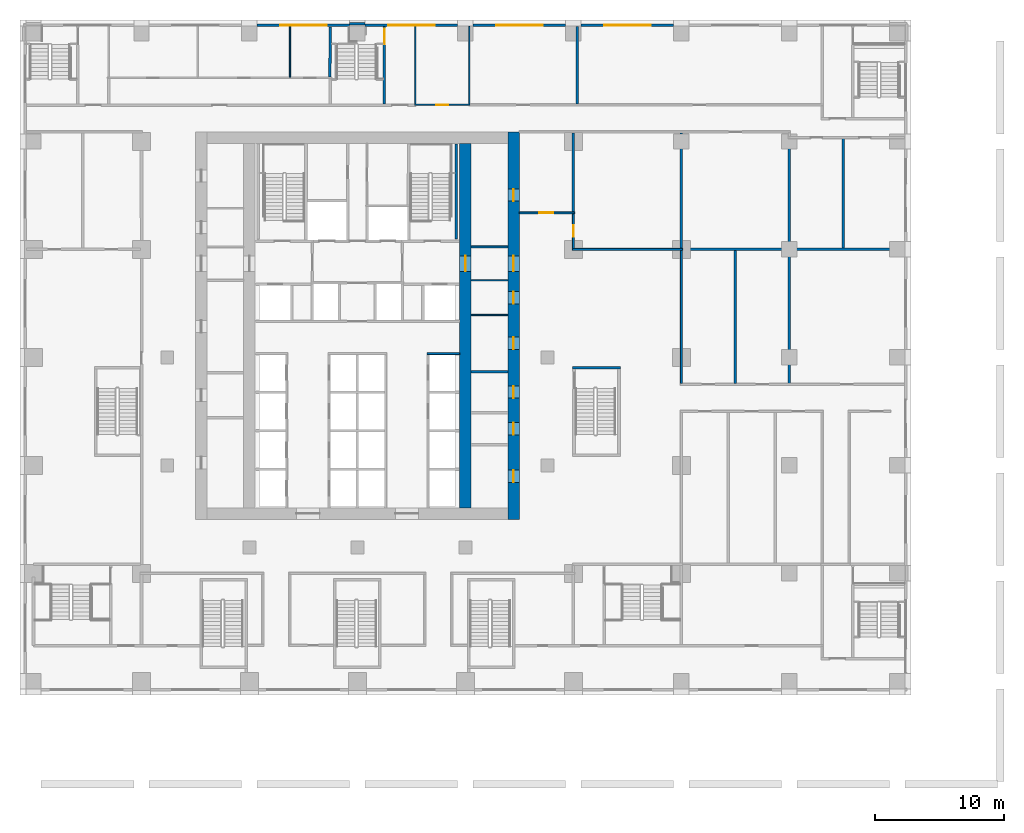
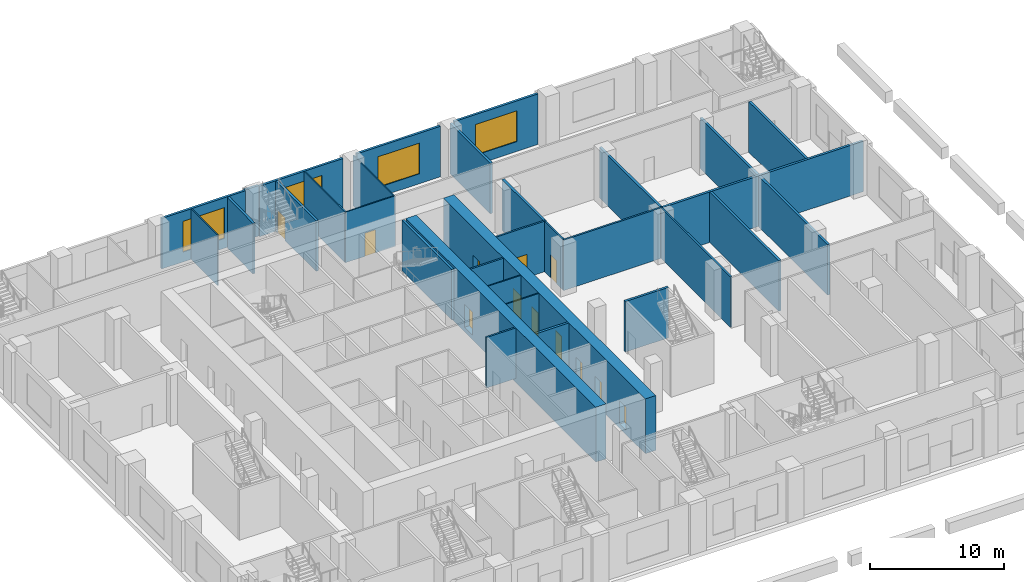
# One storey, part 8 of 21: 31 walls, 12 doors, 4 windows, 16 openings.
"""IFC4 building model written with IfcOpenShell, lengths in metres."""

from ifc_helpers import new_model, si_unit, direction, frame, frame_2d, origin, place, context, subcontext, project, spatial, rectangle, extrude, material, layer, layer_set, type_object, element, fill, save


model = new_model("IFC4")

# Units and contexts
model_context = context("Model", 3, precision=1e-05, world=origin(), true_north=direction((0.0, 1.0)))
body_context = subcontext(model_context, "Body", "Model", "MODEL_VIEW")
ifc_project = project(units=[si_unit("LENGTHUNIT", "METRE"), si_unit("AREAUNIT", "SQUARE_METRE"), si_unit("VOLUMEUNIT", "CUBIC_METRE"), si_unit("PLANEANGLEUNIT", "RADIAN"), si_unit("MASSUNIT", "GRAM", prefix="KILO")], contexts=[model_context])

# Site, building, storey
site_placement = place(None, origin())
site = spatial("IfcSite", under=ifc_project, at=site_placement, CompositionType="ELEMENT")
building_placement = place(site_placement, origin())
building = spatial("IfcBuilding", under=site, at=building_placement, Name="Vermilion Ogive Tower", CompositionType="ELEMENT")
storey_placement = place(building_placement, frame((0.0, 0.0, 25.0)))
storey = spatial("IfcBuildingStorey", under=building, at=storey_placement, Name="L04", CompositionType="ELEMENT", Elevation=25.0)

# Wall, openings, doors
ifc_material_1 = material(Name="Concrete B80", Category="concrete")
ifc_layer_1 = layer(ifc_material_1, 0.89990234375)
ifc_layer_set_1 = layer_set([ifc_layer_1], Name="Core wall 900 B80")
wall_type_1 = type_object("IfcWallType", Name="Core wall 900 B80", PredefinedType="SHEAR", material=ifc_layer_set_1)
wall_1_placement = place(storey_placement, frame((12.14990234375, -8.39990234375, -0.39990234375), z_axis=(0.0, 0.0, 1.0), x_axis=(0.0, 1.0, 0.0)))
wall_1 = element("IfcWall", 1, at=wall_1_placement, inside=storey, type_object=wall_type_1, Name="L04-CORE-E", PredefinedType="SHEAR", context=body_context, shape_type="SweptSolid", body=[
    extrude(rectangle(XDim=30.14990234375, YDim=0.89990234375, at=frame_2d((15.074951171875, 0.0))), origin(), (0.0, 0.0, 1.0), 5.0),
])
opening_1_placement = place(wall_1_placement, frame((2.875, 0.0, 0.39990234375)))
opening_1 = element("IfcOpeningElement", 2, at=opening_1_placement, cuts=wall_1, Name="Opening DAJ023", PredefinedType="OPENING", context=body_context, shape_type="SweptSolid", body=[
    extrude(rectangle(XDim=0.949951171875, YDim=2.10009765625, at=frame_2d((0.47509765625, 1.050048828125))), frame((0.0, 0.4599609375, 0.0), z_axis=(0.0, -1.0, 0.0), x_axis=(1.0, 0.0, 0.0)), (0.0, 0.0, 1.0), 0.919921875),
])
opening_2_placement = place(wall_1_placement, frame((6.574951171875, 0.0, 0.39990234375)))
opening_2 = element("IfcOpeningElement", 3, at=opening_2_placement, cuts=wall_1, Name="Opening DAJ024", PredefinedType="OPENING", context=body_context, shape_type="SweptSolid", body=[
    extrude(rectangle(XDim=0.949951171875, YDim=2.10009765625, at=frame_2d((0.47509765625, 1.050048828125))), frame((0.0, 0.4599609375, 0.0), z_axis=(0.0, -1.0, 0.0), x_axis=(1.0, 0.0, 0.0)), (0.0, 0.0, 1.0), 0.919921875),
])
opening_3_placement = place(wall_1_placement, frame((9.425048828125, 0.0, 0.39990234375)))
opening_3 = element("IfcOpeningElement", 4, at=opening_3_placement, cuts=wall_1, Name="Opening DAJ025", PredefinedType="OPENING", context=body_context, shape_type="SweptSolid", body=[
    extrude(rectangle(XDim=0.949951171875, YDim=2.10009765625, at=frame_2d((0.47509765625, 1.050048828125))), frame((0.0, 0.4599609375, 0.0), z_axis=(0.0, -1.0, 0.0), x_axis=(1.0, 0.0, 0.0)), (0.0, 0.0, 1.0), 0.919921875),
])
opening_4_placement = place(wall_1_placement, frame((13.22509765625, 0.0, 0.39990234375)))
opening_4 = element("IfcOpeningElement", 5, at=opening_4_placement, cuts=wall_1, Name="Opening DAJ026", PredefinedType="OPENING", context=body_context, shape_type="SweptSolid", body=[
    extrude(rectangle(XDim=0.949951171875, YDim=2.10009765625, at=frame_2d((0.47509765625, 1.050048828125))), frame((0.0, 0.4599609375, 0.0), z_axis=(0.0, -1.0, 0.0), x_axis=(1.0, 0.0, 0.0)), (0.0, 0.0, 1.0), 0.919921875),
])
opening_5_placement = place(wall_1_placement, frame((16.77490234375, 0.0, 0.39990234375)))
opening_5 = element("IfcOpeningElement", 6, at=opening_5_placement, cuts=wall_1, Name="Opening DAJ027", PredefinedType="OPENING", context=body_context, shape_type="SweptSolid", body=[
    extrude(rectangle(XDim=0.949951171875, YDim=2.10009765625, at=frame_2d((0.47509765625, 1.050048828125))), frame((0.0, 0.4599609375, 0.0), z_axis=(0.0, -1.0, 0.0), x_axis=(1.0, 0.0, 0.0)), (0.0, 0.0, 1.0), 0.919921875),
])
opening_6_placement = place(wall_1_placement, frame((24.75, 0.0, 0.39990234375)))
opening_6 = element("IfcOpeningElement", 7, at=opening_6_placement, cuts=wall_1, Name="Opening DAJ028", PredefinedType="OPENING", context=body_context, shape_type="SweptSolid", body=[
    extrude(rectangle(XDim=0.949951171875, YDim=2.10009765625, at=frame_2d((0.47509765625, 1.050048828125))), frame((0.0, 0.4599609375, 0.0), z_axis=(0.0, -1.0, 0.0), x_axis=(1.0, 0.0, 0.0)), (0.0, 0.0, 1.0), 0.919921875),
])
opening_7_placement = place(wall_1_placement, frame((19.300048828125, 0.0, 0.39990234375)))
opening_7 = element("IfcOpeningElement", 8, at=opening_7_placement, cuts=wall_1, Name="Opening DBA005", PredefinedType="OPENING", context=body_context, shape_type="SweptSolid", body=[
    extrude(rectangle(XDim=1.199951171875, YDim=2.10009765625, at=frame_2d((0.60009765625, 1.050048828125))), frame((0.0, 0.4599609375, 0.0), z_axis=(0.0, -1.0, 0.0), x_axis=(1.0, 0.0, 0.0)), (0.0, 0.0, 1.0), 0.919921875),
])
ifc_material_2 = material(Name="Timber door leaf", Category="wood")
door_type_1 = type_object("IfcDoorType", Name="Link door 1200 x 2100 FD60S", OperationType="SINGLE_SWING_LEFT", PredefinedType="DOOR", material=ifc_material_2)
door_1_placement = place(opening_7_placement, origin())
door_1 = element("IfcDoor", 9, at=door_1_placement, inside=storey, type_object=door_type_1, Name="L04-CKE-XL", OperationType="SINGLE_SWING_LEFT", OverallHeight=2.10009765625, OverallWidth=1.199951171875, PredefinedType="DOOR", context=body_context, shape_type="SweptSolid", body=[
    extrude(rectangle(XDim=1.199951171875, YDim=2.10009765625, at=frame_2d((0.60009765625, 1.050048828125))), frame((0.0, 0.02490234375, 0.0), z_axis=(0.0, -1.0, 0.0), x_axis=(1.0, 0.0, 0.0)), (0.0, 0.0, 1.0), 0.050048828125),
])
fill(opening_7, door_1)
ifc_material_3 = material(Name="Timber door leaf", Category="wood")
door_type_2 = type_object("IfcDoorType", Name="Service door 950 x 2100 FD60", OperationType="SINGLE_SWING_LEFT", PredefinedType="DOOR", material=ifc_material_3)
door_2_placement = place(opening_1_placement, origin())
door_2 = element("IfcDoor", 10, at=door_2_placement, inside=storey, type_object=door_type_2, Name="L04-CKE-XR0", OperationType="SINGLE_SWING_LEFT", OverallHeight=2.10009765625, OverallWidth=0.949951171875, PredefinedType="DOOR", context=body_context, shape_type="SweptSolid", body=[
    extrude(rectangle(XDim=0.949951171875, YDim=2.10009765625, at=frame_2d((0.47509765625, 1.050048828125))), frame((0.0, 0.02490234375, 0.0), z_axis=(0.0, -1.0, 0.0), x_axis=(1.0, 0.0, 0.0)), (0.0, 0.0, 1.0), 0.050048828125),
])
fill(opening_1, door_2)
door_3_placement = place(opening_2_placement, origin())
door_3 = element("IfcDoor", 11, at=door_3_placement, inside=storey, type_object=door_type_2, Name="L04-CKE-XR1", OperationType="SINGLE_SWING_LEFT", OverallHeight=2.10009765625, OverallWidth=0.949951171875, PredefinedType="DOOR", context=body_context, shape_type="SweptSolid", body=[
    extrude(rectangle(XDim=0.949951171875, YDim=2.10009765625, at=frame_2d((0.47509765625, 1.050048828125))), frame((0.0, 0.02490234375, 0.0), z_axis=(0.0, -1.0, 0.0), x_axis=(1.0, 0.0, 0.0)), (0.0, 0.0, 1.0), 0.050048828125),
])
fill(opening_2, door_3)
door_4_placement = place(opening_3_placement, origin())
door_4 = element("IfcDoor", 12, at=door_4_placement, inside=storey, type_object=door_type_2, Name="L04-CKE-XR2", OperationType="SINGLE_SWING_LEFT", OverallHeight=2.10009765625, OverallWidth=0.949951171875, PredefinedType="DOOR", context=body_context, shape_type="SweptSolid", body=[
    extrude(rectangle(XDim=0.949951171875, YDim=2.10009765625, at=frame_2d((0.47509765625, 1.050048828125))), frame((0.0, 0.02490234375, 0.0), z_axis=(0.0, -1.0, 0.0), x_axis=(1.0, 0.0, 0.0)), (0.0, 0.0, 1.0), 0.050048828125),
])
fill(opening_3, door_4)
door_5_placement = place(opening_4_placement, origin())
door_5 = element("IfcDoor", 13, at=door_5_placement, inside=storey, type_object=door_type_2, Name="L04-CKE-XR3", OperationType="SINGLE_SWING_LEFT", OverallHeight=2.10009765625, OverallWidth=0.949951171875, PredefinedType="DOOR", context=body_context, shape_type="SweptSolid", body=[
    extrude(rectangle(XDim=0.949951171875, YDim=2.10009765625, at=frame_2d((0.47509765625, 1.050048828125))), frame((0.0, 0.02490234375, 0.0), z_axis=(0.0, -1.0, 0.0), x_axis=(1.0, 0.0, 0.0)), (0.0, 0.0, 1.0), 0.050048828125),
])
fill(opening_4, door_5)
door_6_placement = place(opening_5_placement, origin())
door_6 = element("IfcDoor", 14, at=door_6_placement, inside=storey, type_object=door_type_2, Name="L04-CKE-XR4", OperationType="SINGLE_SWING_LEFT", OverallHeight=2.10009765625, OverallWidth=0.949951171875, PredefinedType="DOOR", context=body_context, shape_type="SweptSolid", body=[
    extrude(rectangle(XDim=0.949951171875, YDim=2.10009765625, at=frame_2d((0.47509765625, 1.050048828125))), frame((0.0, 0.02490234375, 0.0), z_axis=(0.0, -1.0, 0.0), x_axis=(1.0, 0.0, 0.0)), (0.0, 0.0, 1.0), 0.050048828125),
])
fill(opening_5, door_6)
door_7_placement = place(opening_6_placement, origin())
door_7 = element("IfcDoor", 15, at=door_7_placement, inside=storey, type_object=door_type_2, Name="L04-CKE-XR5", OperationType="SINGLE_SWING_LEFT", OverallHeight=2.10009765625, OverallWidth=0.949951171875, PredefinedType="DOOR", context=body_context, shape_type="SweptSolid", body=[
    extrude(rectangle(XDim=0.949951171875, YDim=2.10009765625, at=frame_2d((0.47509765625, 1.050048828125))), frame((0.0, 0.02490234375, 0.0), z_axis=(0.0, -1.0, 0.0), x_axis=(1.0, 0.0, 0.0)), (0.0, 0.0, 1.0), 0.050048828125),
])
fill(opening_6, door_7)

# Wall, opening, door
wall_2_placement = place(storey_placement, frame((8.39990234375, -7.5, -0.39990234375), z_axis=(0.0, 0.0, 1.0), x_axis=(0.0, 1.0, 0.0)))
wall_2 = element("IfcWall", 16, at=wall_2_placement, inside=storey, type_object=wall_type_1, Name="L04-CORE-WEB2", PredefinedType="SHEAR", context=body_context, shape_type="SweptSolid", body=[
    extrude(rectangle(XDim=28.35009765625, YDim=0.89990234375, at=frame_2d((14.175048828125, 0.0))), origin(), (0.0, 0.0, 1.0), 5.0),
])
opening_8_placement = place(wall_2_placement, frame((18.39990234375, 0.0, 0.39990234375)))
opening_8 = element("IfcOpeningElement", 17, at=opening_8_placement, cuts=wall_2, Name="Opening DBC005", PredefinedType="OPENING", context=body_context, shape_type="SweptSolid", body=[
    extrude(rectangle(XDim=1.199951171875, YDim=2.10009765625, at=frame_2d((0.60009765625, 1.050048828125))), frame((0.0, 0.4599609375, 0.0), z_axis=(0.0, -1.0, 0.0), x_axis=(1.0, 0.0, 0.0)), (0.0, 0.0, 1.0), 0.919921875),
])
door_8_placement = place(opening_8_placement, origin())
door_8 = element("IfcDoor", 18, at=door_8_placement, inside=storey, type_object=door_type_1, Name="L04-CKE-XW", OperationType="SINGLE_SWING_LEFT", OverallHeight=2.10009765625, OverallWidth=1.199951171875, PredefinedType="DOOR", context=body_context, shape_type="SweptSolid", body=[
    extrude(rectangle(XDim=1.199951171875, YDim=2.10009765625, at=frame_2d((0.60009765625, 1.050048828125))), frame((0.0, 0.02490234375, 0.0), z_axis=(0.0, -1.0, 0.0), x_axis=(1.0, 0.0, 0.0)), (0.0, 0.0, 1.0), 0.050048828125),
])
fill(opening_8, door_8)

ifc_material_4 = material(Name="Gypsum board partition on steel studs", Category="steel")
ifc_layer_2 = layer(ifc_material_4, 0.10009765625)
ifc_layer_set_2 = layer_set([ifc_layer_2], Name="Partition 100 bath")
wall_type_2 = type_object("IfcWallType", Name="Partition 100 bath", PredefinedType="PARTITIONING", material=ifc_layer_set_2)
wall_3_placement = place(storey_placement, frame((4.449951171875, 23.85009765625, 0.0), z_axis=(0.0, 0.0, 1.0), x_axis=(1.0, 0.0, 0.0)))
wall_3 = element("IfcWall", 19, at=wall_3_placement, inside=storey, type_object=wall_type_2, Name="L04-FS-W-W028", PredefinedType="PARTITIONING", context=body_context, shape_type="SweptSolid", body=[
    extrude(rectangle(XDim=4.300048828125, YDim=0.10009765625, at=frame_2d((2.14990234375, 0.0))), origin(), (0.0, 0.0, 1.0), 4.60009765625),
])
opening_9_placement = place(wall_3_placement, frame((1.699951171875, 0.0, 0.0)))
opening_9 = element("IfcOpeningElement", 20, at=opening_9_placement, cuts=wall_3, Name="Opening L04S033", PredefinedType="OPENING", context=body_context, shape_type="SweptSolid", body=[
    extrude(rectangle(XDim=0.89990234375, YDim=2.10009765625, at=frame_2d((0.449951171875, 1.050048828125))), frame((0.0, 0.06005859375, 0.0), z_axis=(0.0, -1.0, 0.0), x_axis=(1.0, 0.0, 0.0)), (0.0, 0.0, 1.0), 0.1201171875),
])
ifc_material_5 = material(Name="Timber door leaf", Category="wood")
door_type_3 = type_object("IfcDoorType", Name="Room door 900 x 2100 FD30", OperationType="SINGLE_SWING_LEFT", PredefinedType="DOOR", material=ifc_material_5)
door_9_placement = place(opening_9_placement, origin())
door_9 = element("IfcDoor", 21, at=door_9_placement, inside=storey, type_object=door_type_3, Name="L04-FS-D-D033", OperationType="SINGLE_SWING_RIGHT", OverallHeight=2.10009765625, OverallWidth=0.89990234375, PredefinedType="DOOR", context=body_context, shape_type="SweptSolid", body=[
    extrude(rectangle(XDim=0.89990234375, YDim=2.10009765625, at=frame_2d((0.449951171875, 1.050048828125))), frame((0.0, 0.02490234375, 0.0), z_axis=(0.0, -1.0, 0.0), x_axis=(1.0, 0.0, 0.0)), (0.0, 0.0, 1.0), 0.050048828125),
])
fill(opening_9, door_9)

# Walls
wall_4_placement = place(storey_placement, frame((-5.25, 26.0, 0.0), z_axis=(0.0, 0.0, 1.0), x_axis=(0.0, 1.0, 0.0)))
element("IfcWall", 22, at=wall_4_placement, inside=storey, type_object=wall_type_2, Name="L04-FS-W-W041", PredefinedType="PARTITIONING", context=body_context, shape_type="SweptSolid", body=[
    extrude(rectangle(XDim=3.949951171875, YDim=0.10009765625, at=frame_2d((1.97509765625, 0.0))), origin(), (0.0, 0.0, 1.0), 4.60009765625),
])
for number, where, z_axis, x_axis, name in (
    (23, (4.5, 23.925048828125, 0.0), (0.0, 0.0, 1.0), (0.0, 1.0, 0.0), "L04-FS-W-W045"),
    (24, (8.699951171875, 23.925048828125, 0.0), (0.0, 0.0, 1.0), (0.0, 1.0, 0.0), "L04-FS-W-W048"),
):
    element("IfcWall", number, at=place(storey_placement, frame(where, z_axis=z_axis, x_axis=x_axis)), inside=storey, type_object=wall_type_2, Name=name, PredefinedType="PARTITIONING", context=body_context, shape_type="SweptSolid", body=[
        extrude(rectangle(XDim=6.02490234375, YDim=0.10009765625, at=frame_2d((3.012451171875, 0.0))), origin(), (0.0, 0.0, 1.0), 4.60009765625),
    ])
for number, where, z_axis, x_axis, name in (
    (25, (8.85107421875, 7.5, 0.0), (0.0, 0.0, 1.0), (1.0, 0.0, 0.0), "L04-CKE-W-W004"),
    (26, (8.85107421875, 10.199951171875, 0.0), (0.0, 0.0, 1.0), (1.0, 0.0, 0.0), "L04-CKE-W-W005"),
):
    element("IfcWall", number, at=place(storey_placement, frame(where, z_axis=z_axis, x_axis=x_axis)), inside=storey, type_object=wall_type_2, Name=name, PredefinedType="PARTITIONING", context=body_context, shape_type="SweptSolid", body=[
        extrude(rectangle(XDim=2.847900390625, YDim=0.10009765625, at=frame_2d((1.423828125, 0.0))), origin(), (0.0, 0.0, 1.0), 4.60009765625),
    ])
ifc_material_6 = material(Name="Gypsum board partition on steel studs", Category="steel")
ifc_layer_3 = layer(ifc_material_6, 0.14990234375)
ifc_layer_set_3 = layer_set([ifc_layer_3], Name="Partition 150 corridor")
wall_type_3 = type_object("IfcWallType", Name="Partition 150 corridor", PredefinedType="PARTITIONING", material=ifc_layer_set_3)
wall_5_placement = place(storey_placement, frame((16.72509765625, 12.60009765625, 0.0), z_axis=(0.0, 0.0, 1.0), x_axis=(1.0, 0.0, 0.0)))
element("IfcWall", 27, at=wall_5_placement, inside=storey, type_object=wall_type_3, Name="L04-FS-W-W020", PredefinedType="PARTITIONING", context=body_context, shape_type="SweptSolid", body=[
    extrude(rectangle(XDim=8.574951171875, YDim=0.14990234375, at=frame_2d((4.28759765625, 0.0))), origin(), (0.0, 0.0, 1.0), 4.60009765625),
])

# Wall, opening, door
wall_6_placement = place(storey_placement, frame((12.60107421875, 15.449951171875, 0.0), z_axis=(0.0, 0.0, 1.0), x_axis=(1.0, 0.0, 0.0)))
wall_6 = element("IfcWall", 28, at=wall_6_placement, inside=storey, type_object=wall_type_3, Name="L04-FS-W-W022", PredefinedType="PARTITIONING", context=body_context, shape_type="SweptSolid", body=[
    extrude(rectangle(XDim=4.298828125, YDim=0.14990234375, at=frame_2d((2.1494140625, 0.0))), origin(), (0.0, 0.0, 1.0), 4.60009765625),
])
opening_10_placement = place(wall_6_placement, frame((1.549072265625, 0.0, 0.0)))
opening_10 = element("IfcOpeningElement", 29, at=opening_10_placement, cuts=wall_6, Name="Opening L04S013", PredefinedType="OPENING", context=body_context, shape_type="SweptSolid", body=[
    extrude(rectangle(XDim=1.10009765625, YDim=2.10009765625, at=frame_2d((0.550048828125, 1.050048828125))), frame((0.0, 0.0849609375, 0.0), z_axis=(0.0, -1.0, 0.0), x_axis=(1.0, 0.0, 0.0)), (0.0, 0.0, 1.0), 0.169921875),
])
ifc_material_7 = material(Name="Timber door leaf", Category="wood")
door_type_4 = type_object("IfcDoorType", Name="Fire door 1100 x 2100 FD30", OperationType="SINGLE_SWING_LEFT", PredefinedType="DOOR", material=ifc_material_7)
door_10_placement = place(opening_10_placement, origin())
door_10 = element("IfcDoor", 30, at=door_10_placement, inside=storey, type_object=door_type_4, Name="L04-FS-D-D013", OperationType="SINGLE_SWING_LEFT", OverallHeight=2.10009765625, OverallWidth=1.10009765625, PredefinedType="DOOR", context=body_context, shape_type="SweptSolid", body=[
    extrude(rectangle(XDim=1.10009765625, YDim=2.10009765625, at=frame_2d((0.550048828125, 1.050048828125))), frame((0.0, 0.02490234375, 0.0), z_axis=(0.0, -1.0, 0.0), x_axis=(1.0, 0.0, 0.0)), (0.0, 0.0, 1.0), 0.050048828125),
])
fill(opening_10, door_10)

wall_7_placement = place(storey_placement, frame((16.800048828125, 12.675048828125, 0.0), z_axis=(0.0, 0.0, 1.0), x_axis=(0.0, 1.0, 0.0)))
wall_7 = element("IfcWall", 31, at=wall_7_placement, inside=storey, type_object=wall_type_3, Name="L04-FS-W-W051", PredefinedType="PARTITIONING", context=body_context, shape_type="SweptSolid", body=[
    extrude(rectangle(XDim=2.699951171875, YDim=0.14990234375, at=frame_2d((1.35009765625, 0.0))), origin(), (0.0, 0.0, 1.0), 4.60009765625),
])
opening_11_placement = place(wall_7_placement, frame((0.89990234375, 0.0, 0.0)))
opening_11 = element("IfcOpeningElement", 32, at=opening_11_placement, cuts=wall_7, Name="Opening L04S028", PredefinedType="OPENING", context=body_context, shape_type="SweptSolid", body=[
    extrude(rectangle(XDim=0.89990234375, YDim=2.10009765625, at=frame_2d((0.449951171875, 1.050048828125))), frame((0.0, 0.0849609375, 0.0), z_axis=(0.0, -1.0, 0.0), x_axis=(1.0, 0.0, 0.0)), (0.0, 0.0, 1.0), 0.169921875),
])
door_11_placement = place(opening_11_placement, origin())
door_11 = element("IfcDoor", 33, at=door_11_placement, inside=storey, type_object=door_type_3, Name="L04-FS-D-D028", OperationType="SINGLE_SWING_RIGHT", OverallHeight=2.10009765625, OverallWidth=0.89990234375, PredefinedType="DOOR", context=body_context, shape_type="SweptSolid", body=[
    extrude(rectangle(XDim=0.89990234375, YDim=2.10009765625, at=frame_2d((0.449951171875, 1.050048828125))), frame((0.0, 0.02490234375, 0.0), z_axis=(0.0, -1.0, 0.0), x_axis=(1.0, 0.0, 0.0)), (0.0, 0.0, 1.0), 0.050048828125),
])
fill(opening_11, door_11)

# Walls
wall_8_placement = place(storey_placement, frame((25.199951171875, 2.175048828125, 0.0), z_axis=(0.0, 0.0, 1.0), x_axis=(0.0, 1.0, 0.0)))
element("IfcWall", 34, at=wall_8_placement, inside=storey, type_object=wall_type_3, Name="L04-FS-W-W057", PredefinedType="PARTITIONING", context=body_context, shape_type="SweptSolid", body=[
    extrude(rectangle(XDim=10.324951171875, YDim=0.14990234375, at=frame_2d((5.16259765625, 0.0))), origin(), (0.0, 0.0, 1.0), 4.60009765625),
])
wall_9_placement = place(storey_placement, frame((5.425048828125, 4.5, 0.0), z_axis=(0.0, 0.0, 1.0), x_axis=(1.0, 0.0, 0.0)))
element("IfcWall", 35, at=wall_9_placement, inside=storey, type_object=wall_type_3, Name="L04-CK-W-W012", PredefinedType="PARTITIONING", context=body_context, shape_type="SweptSolid", body=[
    extrude(rectangle(XDim=2.52392578125, YDim=0.14990234375, at=frame_2d((1.261962890625, 0.0))), origin(), (0.0, 0.0, 1.0), 4.60009765625),
])
wall_10_placement = place(storey_placement, frame((8.85107421875, 12.800048828125, 0.0), z_axis=(0.0, 0.0, 1.0), x_axis=(1.0, 0.0, 0.0)))
element("IfcWall", 36, at=wall_10_placement, inside=storey, type_object=wall_type_3, Name="L04-CKE-W-W006", PredefinedType="PARTITIONING", context=body_context, shape_type="SweptSolid", body=[
    extrude(rectangle(XDim=2.847900390625, YDim=0.14990234375, at=frame_2d((1.423828125, 0.0))), origin(), (0.0, 0.0, 1.0), 4.60009765625),
])
ifc_material_8 = material(Name="Gypsum board partition on steel studs", Category="steel")
ifc_layer_4 = layer(ifc_material_8, 0.199951171875)
ifc_layer_set_4 = layer_set([ifc_layer_4], Name="Partition 200 party")
wall_type_4 = type_object("IfcWallType", Name="Partition 200 party", PredefinedType="PARTITIONING", material=ifc_layer_set_4)
wall_11_placement = place(storey_placement, frame((25.10009765625, 12.60009765625, 0.0), z_axis=(0.0, 0.0, 1.0), x_axis=(1.0, 0.0, 0.0)))
element("IfcWall", 37, at=wall_11_placement, inside=storey, type_object=wall_type_4, Name="L04-FS-W-W021", PredefinedType="PARTITIONING", context=body_context, shape_type="SweptSolid", body=[
    extrude(rectangle(XDim=17.449951171875, YDim=0.199951171875, at=frame_2d((8.72509765625, 0.0))), origin(), (0.0, 0.0, 1.0), 4.60009765625),
])
wall_12_placement = place(storey_placement, frame((16.800048828125, 15.52490234375, 0.0), z_axis=(0.0, 0.0, 1.0), x_axis=(0.0, 1.0, 0.0)))
element("IfcWall", 38, at=wall_12_placement, inside=storey, type_object=wall_type_4, Name="L04-FS-W-W052", PredefinedType="PARTITIONING", context=body_context, shape_type="SweptSolid", body=[
    extrude(rectangle(XDim=6.150146484375, YDim=0.199951171875, at=frame_2d((3.0751953125, 0.0))), origin(), (0.0, 0.0, 1.0), 4.60009765625),
])
wall_13_placement = place(storey_placement, frame((17.10009765625, 23.925048828125, 0.0), z_axis=(0.0, 0.0, 1.0), x_axis=(0.0, 1.0, 0.0)))
element("IfcWall", 39, at=wall_13_placement, inside=storey, type_object=wall_type_4, Name="L04-FS-W-W053", PredefinedType="PARTITIONING", context=body_context, shape_type="SweptSolid", body=[
    extrude(rectangle(XDim=6.02490234375, YDim=0.199951171875, at=frame_2d((3.012451171875, 0.0))), origin(), (0.0, 0.0, 1.0), 4.60009765625),
])
wall_14_placement = place(storey_placement, frame((25.199951171875, 12.699951171875, 0.0), z_axis=(0.0, 0.0, 1.0), x_axis=(0.0, 1.0, 0.0)))
element("IfcWall", 40, at=wall_14_placement, inside=storey, type_object=wall_type_4, Name="L04-FS-W-W058", PredefinedType="PARTITIONING", context=body_context, shape_type="SweptSolid", body=[
    extrude(rectangle(XDim=8.97509765625, YDim=0.199951171875, at=frame_2d((4.487548828125, 0.0))), origin(), (0.0, 0.0, 1.0), 4.60009765625),
])
wall_15_placement = place(storey_placement, frame((29.39990234375, 2.175048828125, 0.0), z_axis=(0.0, 0.0, 1.0), x_axis=(0.0, 1.0, 0.0)))
element("IfcWall", 41, at=wall_15_placement, inside=storey, type_object=wall_type_4, Name="L04-FS-W-W060", PredefinedType="PARTITIONING", context=body_context, shape_type="SweptSolid", body=[
    extrude(rectangle(XDim=10.324951171875, YDim=0.199951171875, at=frame_2d((5.16259765625, 0.0))), origin(), (0.0, 0.0, 1.0), 4.60009765625),
])
wall_16_placement = place(storey_placement, frame((33.60009765625, 2.175048828125, 0.0), z_axis=(0.0, 0.0, 1.0), x_axis=(0.0, 1.0, 0.0)))
element("IfcWall", 42, at=wall_16_placement, inside=storey, type_object=wall_type_4, Name="L04-FS-W-W062", PredefinedType="PARTITIONING", context=body_context, shape_type="SweptSolid", body=[
    extrude(rectangle(XDim=19.050048828125, YDim=0.199951171875, at=frame_2d((9.52490234375, 0.0))), origin(), (0.0, 0.0, 1.0), 4.60009765625),
])
wall_17_placement = place(storey_placement, frame((37.800048828125, 12.699951171875, 0.0), z_axis=(0.0, 0.0, 1.0), x_axis=(0.0, 1.0, 0.0)))
element("IfcWall", 43, at=wall_17_placement, inside=storey, type_object=wall_type_4, Name="L04-FS-W-W069", PredefinedType="PARTITIONING", context=body_context, shape_type="SweptSolid", body=[
    extrude(rectangle(XDim=8.525146484375, YDim=0.199951171875, at=frame_2d((4.2626953125, 0.0))), origin(), (0.0, 0.0, 1.0), 4.60009765625),
])
wall_18_placement = place(storey_placement, frame((8.85107421875, 3.10009765625, 0.0), z_axis=(0.0, 0.0, 1.0), x_axis=(1.0, 0.0, 0.0)))
element("IfcWall", 44, at=wall_18_placement, inside=storey, type_object=wall_type_4, Name="L04-CKE-W-W003", PredefinedType="PARTITIONING", context=body_context, shape_type="SweptSolid", body=[
    extrude(rectangle(XDim=2.847900390625, YDim=0.199951171875, at=frame_2d((1.423828125, 0.0))), origin(), (0.0, 0.0, 1.0), 4.60009765625),
])
ifc_material_9 = material(Name="Concrete B60", Category="concrete")
ifc_layer_5 = layer(ifc_material_9, 0.199951171875)
ifc_layer_set_5 = layer_set([ifc_layer_5], Name="Stair shaft wall 200 Concrete B60")
wall_type_5 = type_object("IfcWallType", Name="Stair shaft wall 200 Concrete B60", PredefinedType="SOLIDWALL", material=ifc_layer_set_5)
wall_19_placement = place(storey_placement, frame((-2.150146484375, 26.0, 0.0), z_axis=(0.0, 0.0, 1.0), x_axis=(0.012832297537, 0.99991766268, 0.0)))
element("IfcWall", 45, at=wall_19_placement, inside=storey, type_object=wall_type_5, Name="L04-FS-W-W043", PredefinedType="SOLIDWALL", context=body_context, shape_type="SweptSolid", body=[
    extrude(rectangle(XDim=3.900146484375, YDim=0.199951171875, at=frame_2d((1.9501953125, 0.0))), origin(), (0.0, 0.0, 1.0), 4.60009765625),
])

# Wall, opening, door
wall_20_placement = place(storey_placement, frame((2.10009765625, 23.925048828125, 0.0), z_axis=(0.0, 0.0, 1.0), x_axis=(0.0, 1.0, 0.0)))
wall_20 = element("IfcWall", 46, at=wall_20_placement, inside=storey, type_object=wall_type_5, Name="L04-FS-W-W044", PredefinedType="SOLIDWALL", context=body_context, shape_type="SweptSolid", body=[
    extrude(rectangle(XDim=6.02490234375, YDim=0.199951171875, at=frame_2d((3.012451171875, 0.0))), origin(), (0.0, 0.0, 1.0), 4.60009765625),
])
opening_12_placement = place(wall_20_placement, frame((4.625, 0.0, 0.0)))
opening_12 = element("IfcOpeningElement", 47, at=opening_12_placement, cuts=wall_20, Name="Opening L04S005", PredefinedType="OPENING", context=body_context, shape_type="SweptSolid", body=[
    extrude(rectangle(XDim=1.199951171875, YDim=2.10009765625, at=frame_2d((0.60009765625, 1.050048828125))), frame((0.0, 0.10986328125, 0.0), z_axis=(0.0, -1.0, 0.0), x_axis=(1.0, 0.0, 0.0)), (0.0, 0.0, 1.0), 0.219970703125),
])
ifc_material_10 = material(Name="Timber door leaf", Category="wood")
door_type_5 = type_object("IfcDoorType", Name="Stair door 1200 x 2100 FD60S", OperationType="SINGLE_SWING_LEFT", PredefinedType="DOOR", material=ifc_material_10)
door_12_placement = place(opening_12_placement, origin())
door_12 = element("IfcDoor", 48, at=door_12_placement, inside=storey, type_object=door_type_5, Name="L04-FS-D-D005", OperationType="DOUBLE_DOOR_SINGLE_SWING", OverallHeight=2.10009765625, OverallWidth=1.199951171875, PredefinedType="DOOR", context=body_context, shape_type="SweptSolid", body=[
    extrude(rectangle(XDim=1.199951171875, YDim=2.10009765625, at=frame_2d((0.60009765625, 1.050048828125))), frame((0.0, 0.02490234375, 0.0), z_axis=(0.0, -1.0, 0.0), x_axis=(1.0, 0.0, 0.0)), (0.0, 0.0, 1.0), 0.050048828125),
])
fill(opening_12, door_12)

# Wall, opening, window
wall_21_placement = place(storey_placement, frame((0.60009765625, 30.050048828125, 0.0), z_axis=(0.0, 0.0, 1.0), x_axis=(1.0, 0.0, 0.0)))
wall_21 = element("IfcWall", 49, at=wall_21_placement, inside=storey, type_object=wall_type_5, Name="Window wall N5", PredefinedType="SOLIDWALL", context=body_context, shape_type="SweptSolid", body=[
    extrude(rectangle(XDim=7.199951171875, YDim=0.199951171875, at=frame_2d((3.60009765625, 0.0))), origin(), (0.0, 0.0, 1.0), 4.60009765625),
])
opening_13_placement = place(wall_21_placement, frame((1.800048828125, 0.0, 0.89990234375)))
opening_13 = element("IfcOpeningElement", 50, at=opening_13_placement, cuts=wall_21, Name="Opening P-N5", PredefinedType="OPENING", context=body_context, shape_type="SweptSolid", body=[
    extrude(rectangle(XDim=3.60009765625, YDim=2.800048828125, at=frame_2d((1.800048828125, 1.39990234375))), frame((0.0, 0.10986328125, 0.0), z_axis=(0.0, -1.0, 0.0), x_axis=(1.0, 0.0, 0.0)), (0.0, 0.0, 1.0), 0.219970703125),
])
ifc_material_11 = material(Name="Aluminium framed double glazing", Category="aluminium")
window_type = type_object("IfcWindowType", Name="Podium window P 3600x2800 sill 900", PartitioningType="SINGLE_PANEL", PredefinedType="WINDOW", material=ifc_material_11)
window_1_placement = place(opening_13_placement, origin())
window_1 = element("IfcWindow", 51, at=window_1_placement, inside=storey, type_object=window_type, Name="Window N5", OverallHeight=2.800048828125, OverallWidth=3.60009765625, PartitioningType="SINGLE_PANEL", PredefinedType="WINDOW", context=body_context, shape_type="SweptSolid", body=[
    extrude(rectangle(XDim=3.60009765625, YDim=2.800048828125, at=frame_2d((1.800048828125, 1.39990234375))), frame((0.0, 0.030029296875, 0.0), z_axis=(0.0, -1.0, 0.0), x_axis=(1.0, 0.0, 0.0)), (0.0, 0.0, 1.0), 0.06005859375),
])
fill(opening_13, window_1)

wall_22_placement = place(storey_placement, frame((-7.800048828125, 30.050048828125, 0.0), z_axis=(0.0, 0.0, 1.0), x_axis=(1.0, 0.0, 0.0)))
wall_22 = element("IfcWall", 52, at=wall_22_placement, inside=storey, type_object=wall_type_5, Name="Window wall N6", PredefinedType="SOLIDWALL", context=body_context, shape_type="SweptSolid", body=[
    extrude(rectangle(XDim=7.199951171875, YDim=0.199951171875, at=frame_2d((3.60009765625, 0.0))), origin(), (0.0, 0.0, 1.0), 4.60009765625),
])
opening_14_placement = place(wall_22_placement, frame((1.800048828125, 0.0, 0.89990234375)))
opening_14 = element("IfcOpeningElement", 53, at=opening_14_placement, cuts=wall_22, Name="Opening P-N6", PredefinedType="OPENING", context=body_context, shape_type="SweptSolid", body=[
    extrude(rectangle(XDim=3.60009765625, YDim=2.800048828125, at=frame_2d((1.800048828125, 1.39990234375))), frame((0.0, 0.10986328125, 0.0), z_axis=(0.0, -1.0, 0.0), x_axis=(1.0, 0.0, 0.0)), (0.0, 0.0, 1.0), 0.219970703125),
])
window_2_placement = place(opening_14_placement, origin())
window_2 = element("IfcWindow", 54, at=window_2_placement, inside=storey, type_object=window_type, Name="Window N6", OverallHeight=2.800048828125, OverallWidth=3.60009765625, PartitioningType="SINGLE_PANEL", PredefinedType="WINDOW", context=body_context, shape_type="SweptSolid", body=[
    extrude(rectangle(XDim=3.60009765625, YDim=2.800048828125, at=frame_2d((1.800048828125, 1.39990234375))), frame((0.0, 0.030029296875, 0.0), z_axis=(0.0, -1.0, 0.0), x_axis=(1.0, 0.0, 0.0)), (0.0, 0.0, 1.0), 0.06005859375),
])
fill(opening_14, window_2)

# Walls
wall_23_placement = place(storey_placement, frame((16.75, 3.39990234375, 0.0), z_axis=(0.0, 0.0, 1.0), x_axis=(1.0, 0.0, 0.0)))
element("IfcWall", 55, at=wall_23_placement, inside=storey, type_object=wall_type_5, Name="L04-SW-ST8-N1", PredefinedType="SOLIDWALL", context=body_context, shape_type="SweptSolid", body=[
    extrude(rectangle(XDim=3.699951171875, YDim=0.199951171875, at=frame_2d((1.85009765625, 0.0))), origin(), (0.0, 0.0, 1.0), 4.60009765625),
])
wall_24_placement = place(storey_placement, frame((-0.60009765625, 30.14990234375, 0.0), z_axis=(0.0, 0.0, 1.0), x_axis=(1.0, 0.0, 0.0)))
element("IfcWall", 56, at=wall_24_placement, inside=storey, type_object=wall_type_5, Name="L04-SW-R009-N1", PredefinedType="SOLIDWALL", context=body_context, shape_type="SweptSolid", body=[
    extrude(rectangle(XDim=1.2001953125, YDim=0.199951171875, at=frame_2d((0.60009765625, 0.0))), origin(), (0.0, 0.0, 1.0), 4.60009765625),
])
wall_25_placement = place(storey_placement, frame((7.699951171875, 13.39990234375, 0.0), z_axis=(0.0, 0.0, 1.0), x_axis=(0.0, 1.0, 0.0)))
element("IfcWall", 57, at=wall_25_placement, inside=storey, type_object=wall_type_5, Name="L04-SW-R027-E1", PredefinedType="SOLIDWALL", context=body_context, shape_type="SweptSolid", body=[
    extrude(rectangle(XDim=7.400146484375, YDim=0.199951171875, at=frame_2d((3.7001953125, 0.0))), origin(), (0.0, 0.0, 1.0), 4.60009765625),
])

# Wall, opening, window
ifc_material_12 = material(Name="Aluminium window wall framing", Category="aluminium")
ifc_layer_6 = layer(ifc_material_12, 0.199951171875)
ifc_layer_set_6 = layer_set([ifc_layer_6], Name="Window wall")
wall_type_6 = type_object("IfcWallType", Name="Window wall", PredefinedType="STANDARD", material=ifc_layer_set_6)
wall_26_placement = place(storey_placement, frame((24.60009765625, 30.050048828125, 0.0), z_axis=(0.0, 0.0, 1.0), x_axis=(-1.0, 0.0, 0.0)))
wall_26 = element("IfcWall", 58, at=wall_26_placement, inside=storey, type_object=wall_type_6, Name="Window wall N3", PredefinedType="STANDARD", context=body_context, shape_type="SweptSolid", body=[
    extrude(rectangle(XDim=7.2001953125, YDim=0.199951171875, at=frame_2d((3.60009765625, 0.0))), origin(), (0.0, 0.0, 1.0), 4.60009765625),
])
opening_15_placement = place(wall_26_placement, frame((1.800048828125, 0.0, 0.89990234375)))
opening_15 = element("IfcOpeningElement", 59, at=opening_15_placement, cuts=wall_26, Name="Opening P-N3", PredefinedType="OPENING", context=body_context, shape_type="SweptSolid", body=[
    extrude(rectangle(XDim=3.60009765625, YDim=2.800048828125, at=frame_2d((1.800048828125, 1.39990234375))), frame((0.0, 0.10986328125, 0.0), z_axis=(0.0, -1.0, 0.0), x_axis=(1.0, 0.0, 0.0)), (0.0, 0.0, 1.0), 0.219970703125),
])
window_3_placement = place(opening_15_placement, origin())
window_3 = element("IfcWindow", 60, at=window_3_placement, inside=storey, type_object=window_type, Name="Window N3", OverallHeight=2.800048828125, OverallWidth=3.60009765625, PartitioningType="SINGLE_PANEL", PredefinedType="WINDOW", context=body_context, shape_type="SweptSolid", body=[
    extrude(rectangle(XDim=3.60009765625, YDim=2.800048828125, at=frame_2d((1.800048828125, 1.39990234375))), frame((0.0, 0.030029296875, 0.0), z_axis=(0.0, -1.0, 0.0), x_axis=(1.0, 0.0, 0.0)), (0.0, 0.0, 1.0), 0.06005859375),
])
fill(opening_15, window_3)

wall_27_placement = place(storey_placement, frame((16.199951171875, 30.050048828125, 0.0), z_axis=(0.0, 0.0, 1.0), x_axis=(-1.0, 0.0, 0.0)))
wall_27 = element("IfcWall", 61, at=wall_27_placement, inside=storey, type_object=wall_type_6, Name="Window wall N4", PredefinedType="STANDARD", context=body_context, shape_type="SweptSolid", body=[
    extrude(rectangle(XDim=7.199951171875, YDim=0.199951171875, at=frame_2d((3.60009765625, 0.0))), origin(), (0.0, 0.0, 1.0), 4.60009765625),
])
opening_16_placement = place(wall_27_placement, frame((1.800048828125, 0.0, 0.89990234375)))
opening_16 = element("IfcOpeningElement", 62, at=opening_16_placement, cuts=wall_27, Name="Opening P-N4", PredefinedType="OPENING", context=body_context, shape_type="SweptSolid", body=[
    extrude(rectangle(XDim=3.60009765625, YDim=2.800048828125, at=frame_2d((1.800048828125, 1.39990234375))), frame((0.0, 0.10986328125, 0.0), z_axis=(0.0, -1.0, 0.0), x_axis=(1.0, 0.0, 0.0)), (0.0, 0.0, 1.0), 0.219970703125),
])
window_4_placement = place(opening_16_placement, origin())
window_4 = element("IfcWindow", 63, at=window_4_placement, inside=storey, type_object=window_type, Name="Window N4", OverallHeight=2.800048828125, OverallWidth=3.60009765625, PartitioningType="SINGLE_PANEL", PredefinedType="WINDOW", context=body_context, shape_type="SweptSolid", body=[
    extrude(rectangle(XDim=3.60009765625, YDim=2.800048828125, at=frame_2d((1.800048828125, 1.39990234375))), frame((0.0, 0.030029296875, 0.0), z_axis=(0.0, -1.0, 0.0), x_axis=(1.0, 0.0, 0.0)), (0.0, 0.0, 1.0), 0.06005859375),
])
fill(opening_16, window_4)

save(model, "model.ifc")
